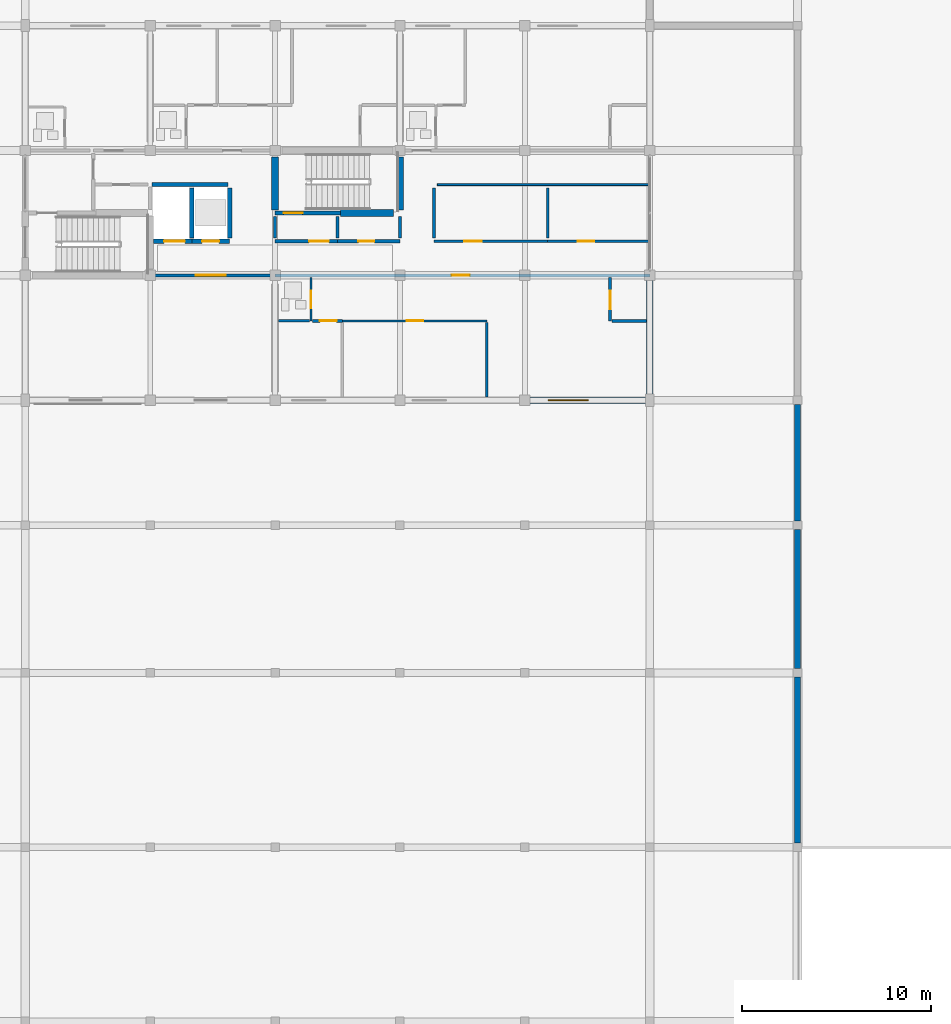
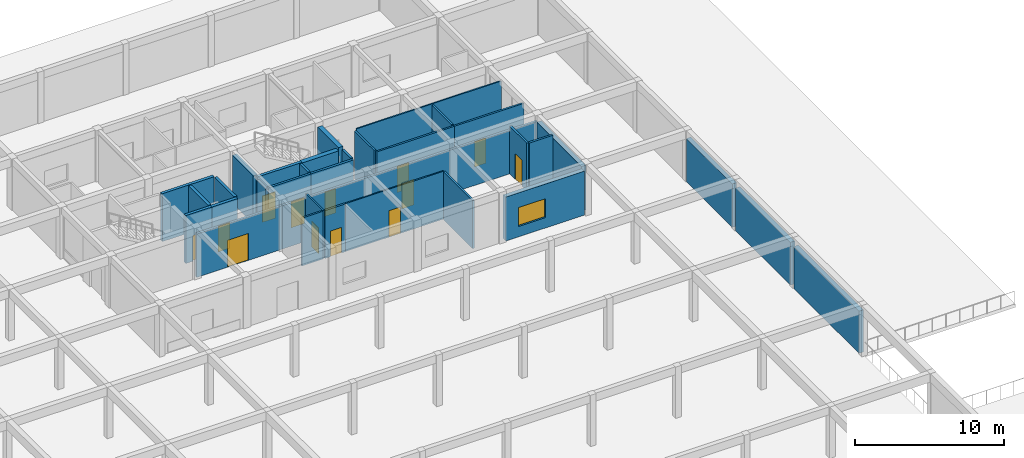
# One storey, part 61 of 75: 33 walls, 13 doors, 1 window, 14 openings.
"""IFC4 building model written with IfcOpenShell, lengths in metres."""

import ifcopenshell
import ifcopenshell.guid

model = None  # the IFC model being written
_history = None  # IfcOwnerHistory: only IFC2X3 demands one
_inside = {}  # id of a spatial element -> (the spatial element, [elements in it])
_under = {}  # id of a project, library or spatial element -> (it, [spatial elements below it])
_declared = {}  # id of a project -> (the project, [libraries it declares])
_typed = {}  # id of a type object -> (the type object, [elements of that type])
_made_of = {}  # id of a material, layer set ... -> (it, [elements and type objects made of it])


def new_model(schema):
    """Start an empty IFC model of exactly this schema.

    Asked for "IFC4X3", IfcOpenShell would pick the latest addendum, in which some entities
    have other attributes; the version numbers below select the first issue.
    IFC2X3 requires an IfcOwnerHistory on every rooted entity: one is made here for all.
    """
    global model, _history
    if schema == "IFC4X3":
        model = ifcopenshell.file(schema_version=(4, 3, 0, 0))
    else:
        model = ifcopenshell.file(schema=schema)
    _inside.clear()
    _under.clear()
    _declared.clear()
    _typed.clear()
    _made_of.clear()
    _history = None
    if model.schema == "IFC2X3":
        org = make("IfcOrganization", Name="unknown")
        user = make(
            "IfcPersonAndOrganization",
            ThePerson=make("IfcPerson", FamilyName="unknown"),
            TheOrganization=org,
        )
        app = make(
            "IfcApplication",
            ApplicationDeveloper=org,
            Version="unknown",
            ApplicationFullName="unknown",
            ApplicationIdentifier="unknown",
        )
        _history = make(
            "IfcOwnerHistory",
            OwningUser=user,
            OwningApplication=app,
            ChangeAction="ADDED",
            CreationDate=0,
        )
    return model


def make(cls, **values):
    """One entity of the class cls with the attributes given. An attribute that is None is left unset."""
    return model.create_entity(
        cls, **{name: value for name, value in values.items() if value is not None}
    )


def rooted(cls, **values):
    """An entity with a GlobalId (a new one), such as an element, a storey or a relation."""
    return make(cls, GlobalId=ifcopenshell.guid.new(), OwnerHistory=_history, **values)


def si_unit(unit_type, name, prefix=None):
    """IfcSIUnit, for example si_unit("LENGTHUNIT", "METRE", prefix="MILLI")."""
    return make("IfcSIUnit", UnitType=unit_type, Prefix=prefix, Name=name)


def assignment(units):
    """IfcUnitAssignment: the units of a project."""
    return None if units is None else make("IfcUnitAssignment", Units=units)


def point(xyz):
    """IfcCartesianPoint."""
    return None if xyz is None else make("IfcCartesianPoint", Coordinates=xyz)


def direction(xyz):
    """IfcDirection."""
    return None if xyz is None else make("IfcDirection", DirectionRatios=xyz)


def frame(location, z_axis=None, x_axis=None):
    """IfcAxis2Placement3D, a coordinate frame: its origin and axes. An axis left out is left unset."""
    return make(
        "IfcAxis2Placement3D",
        Location=point(location),
        Axis=direction(z_axis),
        RefDirection=direction(x_axis),
    )


def frame_2d(location, x_axis=None):
    """IfcAxis2Placement2D, a coordinate frame in the plane: its origin and x axis."""
    return make(
        "IfcAxis2Placement2D", Location=point(location), RefDirection=direction(x_axis)
    )


def origin():
    """The frame at (0, 0, 0) with its axes left unset."""
    return frame((0.0, 0.0, 0.0))


def place(relative_to, where):
    """IfcLocalPlacement: puts the frame where relative to a parent placement (None: the world)."""
    return make(
        "IfcLocalPlacement", PlacementRelTo=relative_to, RelativePlacement=where
    )


def context(
    kind, dimensions, precision=None, world=None, true_north=None, identifier=None
):
    """IfcGeometricRepresentationContext, for example the 3D "Model" context."""
    return make(
        "IfcGeometricRepresentationContext",
        ContextIdentifier=identifier,
        ContextType=kind,
        CoordinateSpaceDimension=dimensions,
        Precision=precision,
        WorldCoordinateSystem=world,
        TrueNorth=true_north,
    )


def subcontext(parent, identifier, kind, view, scale=None):
    """IfcGeometricRepresentationSubContext, for example "Body" below "Model"."""
    return make(
        "IfcGeometricRepresentationSubContext",
        ContextIdentifier=identifier,
        ContextType=kind,
        ParentContext=parent,
        TargetScale=scale,
        TargetView=view,
    )


def project(units=None, contexts=None):
    """IfcProject with its units and contexts."""
    return rooted(
        "IfcProject",
        Name="project",
        RepresentationContexts=contexts,
        UnitsInContext=assignment(units),
    )


def spatial(cls, under=None, at=None, **own):
    """A site, building, storey or space (cls), placed at a placement, below another one or the project."""
    s = rooted(cls, ObjectPlacement=at, **own)
    if under is not None:
        _under.setdefault(under.id(), (under, []))[1].append(s)
    return s


def profile(cls, at=None, kind="AREA", **sizes):
    """A parametric profile (cls). Its sizes go by their IFC names, for example OverallWidth=200.0."""
    return make(cls, ProfileType=kind, Position=at, **sizes)


def rectangle(**sizes):
    """IfcRectangleProfileDef."""
    return profile("IfcRectangleProfileDef", **sizes)


def extrude(swept, where, along, depth):
    """IfcExtrudedAreaSolid: the profile swept, set in the frame where, extruded along a direction by depth."""
    return make(
        "IfcExtrudedAreaSolid",
        SweptArea=swept,
        Position=where,
        ExtrudedDirection=direction(along),
        Depth=depth,
    )


def shape(context_of_items, identifier, shape_type, items):
    """IfcShapeRepresentation: the items that make up one representation, for example the "Body"."""
    return make(
        "IfcShapeRepresentation",
        ContextOfItems=context_of_items,
        RepresentationIdentifier=identifier,
        RepresentationType=shape_type,
        Items=items,
    )


def material(Name=None, Category=None):
    """IfcMaterial."""
    return make("IfcMaterial", Name=Name, Category=Category)


def layer(
    of_material, thickness, ventilated=None, Name=None, Category=None, Priority=None
):
    """IfcMaterialLayer: one layer of a wall or slab, of a material (None: an air gap)."""
    return make(
        "IfcMaterialLayer",
        Material=of_material,
        LayerThickness=thickness,
        IsVentilated=ventilated,
        Name=Name,
        Category=Category,
        Priority=Priority,
    )


def layer_set(layers, Name=None):
    """IfcMaterialLayerSet."""
    return make("IfcMaterialLayerSet", MaterialLayers=layers, LayerSetName=Name)


def made_of(thing, what):
    """Note that an element or type object is made of a material, layer set ...; save() writes the relation."""
    if what is not None:
        _made_of.setdefault(what.id(), (what, []))[1].append(thing)
    return thing


def type_object(cls, material=None, **own):
    """A type object (cls), such as IfcWallType, which elements share."""
    return made_of(rooted(cls, **own), material)


def element(
    cls,
    number,
    at=None,
    inside=None,
    cuts=None,
    type_object=None,
    material=None,
    context=None,
    identifier="Body",
    shape_type=None,
    held_by="IfcProductDefinitionShape",
    body=None,
    shapes=None,
    **own,
):
    """One element of the class cls, such as IfcWall. Its Tag is "e" and its number.

    at: its placement. inside: the storey or other place that contains it. cuts: it is an
    opening in that element (IfcRelVoidsElement). A single representation is given by context,
    identifier, shape_type and body (its items); several are given by shapes. held_by: the class
    of the entity that holds the representations. save() writes the other relations.
    """
    e = rooted(cls, Tag="e%d" % number, ObjectPlacement=at, **own)
    if body is not None:
        shapes = [shape(context, identifier, shape_type, body)]
    if shapes is not None:
        e.Representation = make(held_by, Representations=shapes)
    if inside is not None:
        _inside.setdefault(inside.id(), (inside, []))[1].append(e)
    if cuts is not None:
        rooted(
            "IfcRelVoidsElement", RelatingBuildingElement=cuts, RelatedOpeningElement=e
        )
    if type_object is not None:
        _typed.setdefault(type_object.id(), (type_object, []))[1].append(e)
    return made_of(e, material)


def fill(opening, filler):
    """IfcRelFillsElement: the door or window that sits in an opening."""
    return rooted(
        "IfcRelFillsElement",
        RelatingOpeningElement=opening,
        RelatedBuildingElement=filler,
    )


def aggregate(whole, parts):
    """IfcRelAggregates: a whole, such as a stair, and the parts it consists of."""
    return rooted("IfcRelAggregates", RelatingObject=whole, RelatedObjects=parts)


def save(model, path):
    """Write the relations noted so far, then the file.

    IfcRelAggregates (storeys below a building ...), IfcRelContainedInSpatialStructure (elements
    in a storey), IfcRelDefinesByType, IfcRelAssociatesMaterial and IfcRelDeclares: one each for
    every whole, place, type object, material and project.
    """
    for whole, parts in _under.values():
        aggregate(whole, parts)
    for where, things in _inside.values():
        rooted(
            "IfcRelContainedInSpatialStructure",
            RelatedElements=things,
            RelatingStructure=where,
        )
    for kind, things in _typed.values():
        rooted("IfcRelDefinesByType", RelatedObjects=things, RelatingType=kind)
    for what, things in _made_of.values():
        rooted("IfcRelAssociatesMaterial", RelatedObjects=things, RelatingMaterial=what)
    for by, libraries in _declared.values():
        rooted("IfcRelDeclares", RelatingContext=by, RelatedDefinitions=libraries)
    model.write(path)


model = new_model("IFC4")

# Units and contexts
model_context = context("Model", 3, precision=1e-05, world=origin(), true_north=direction((0.0, 1.0)))
body_context = subcontext(model_context, "Body", "Model", "MODEL_VIEW")
ifc_project = project(units=[si_unit("LENGTHUNIT", "METRE"), si_unit("AREAUNIT", "SQUARE_METRE"), si_unit("VOLUMEUNIT", "CUBIC_METRE"), si_unit("PLANEANGLEUNIT", "RADIAN"), si_unit("MASSUNIT", "GRAM", prefix="KILO")], contexts=[model_context])

# Site, building, storey
site_placement = place(None, origin())
site = spatial("IfcSite", under=ifc_project, at=site_placement, CompositionType="ELEMENT")
building_placement = place(site_placement, origin())
building = spatial("IfcBuilding", under=site, at=building_placement, Name="Kernevlak Ridge Housing Community", CompositionType="ELEMENT")
storey_placement = place(building_placement, origin())
storey = spatial("IfcBuildingStorey", under=building, at=storey_placement, Name="L00", CompositionType="ELEMENT", Elevation=0.0)

# Wall, opening, window
ifc_material_1 = material(Name="Concrete block masonry M10", Category="masonry")
ifc_layer_1 = layer(ifc_material_1, 0.340087890625, Name="Concrete block masonry M10")
ifc_layer_set_1 = layer_set([ifc_layer_1], Name="Concrete block masonry M10")
wall_type_1 = type_object("IfcWallType", Name="EW-04", PredefinedType="STANDARD", material=ifc_layer_set_1)
wall_1_placement = place(storey_placement, frame((146.074951171875, 82.60009765625, 0.0), z_axis=(0.0, 0.0, 1.0), x_axis=(1.0, 0.0, 0.0)))
wall_1 = element("IfcWall", 1, at=wall_1_placement, inside=storey, type_object=wall_type_1, Name="Exterior wall EW-04 L00 299", PredefinedType="STANDARD", context=body_context, shape_type="SweptSolid", body=[
    extrude(rectangle(XDim=6.10009765625, YDim=0.340087890625, at=frame_2d((3.050048828125, 0.0))), origin(), (0.0, 0.0, 1.0), 3.60009765625),
])
opening_1_placement = place(wall_1_placement, frame((0.968994140625, 0.0, 0.85009765625)))
opening_1 = element("IfcOpeningElement", 2, at=opening_1_placement, cuts=wall_1, Name="Opening WT-05", PredefinedType="OPENING", context=body_context, shape_type="SweptSolid", body=[
    extrude(rectangle(XDim=2.10009765625, YDim=1.550048828125, at=frame_2d((1.050048828125, 0.77490234375))), frame((0.0, 0.179931640625, 0.0), z_axis=(0.0, -1.0, 0.0), x_axis=(1.0, 0.0, 0.0)), (0.0, 0.0, 1.0), 0.360107421875),
])
ifc_material_2 = material(Name="Aluminium EN AW-6060 anodised and laminated glass", Category="aluminium")
window_type = type_object("IfcWindowType", Name="WT-05", PartitioningType="SINGLE_PANEL", PredefinedType="WINDOW", material=ifc_material_2)
window_placement = place(opening_1_placement, origin())
window = element("IfcWindow", 3, at=window_placement, inside=storey, type_object=window_type, Name="Window WT-05 L00 229", OverallHeight=1.550048828125, OverallWidth=2.10009765625, PartitioningType="SINGLE_PANEL", PredefinedType="WINDOW", context=body_context, shape_type="SweptSolid", body=[
    extrude(rectangle(XDim=2.10009765625, YDim=1.550048828125, at=frame_2d((1.050048828125, 0.77490234375))), frame((0.0, 0.030029296875, 0.0), z_axis=(0.0, -1.0, 0.0), x_axis=(1.0, 0.0, 0.0)), (0.0, 0.0, 1.0), 0.06005859375),
])
fill(opening_1, window)

# Walls
wall_2_placement = place(storey_placement, frame((152.39990234375, 82.925048828125, 0.0), z_axis=(0.0, 0.0, 1.0), x_axis=(0.0, 1.0, 0.0)))
element("IfcWall", 4, at=wall_2_placement, inside=storey, type_object=wall_type_1, Name="Exterior wall EW-04 L00 307", PredefinedType="STANDARD", context=body_context, shape_type="SweptSolid", body=[
    extrude(rectangle(XDim=6.0, YDim=0.340087890625, at=frame_2d((3.0, 0.0))), origin(), (0.0, 0.0, 1.0), 3.64990234375),
])
wall_3_placement = place(storey_placement, frame((160.199951171875, 59.22509765625, 0.0), z_axis=(0.0, 0.0, 1.0), x_axis=(0.0, 1.0, 0.0)))
element("IfcWall", 5, at=wall_3_placement, inside=storey, type_object=wall_type_1, Name="Exterior wall EW-04 L00 894", PredefinedType="STANDARD", context=body_context, shape_type="SweptSolid", body=[
    extrude(rectangle(XDim=8.75, YDim=0.340087890625, at=frame_2d((4.375, 0.0))), origin(), (0.0, 0.0, 1.0), 3.449951171875),
])
wall_4_placement = place(storey_placement, frame((160.199951171875, 68.425048828125, 0.0), z_axis=(0.0, 0.0, 1.0), x_axis=(0.0, 1.0, 0.0)))
element("IfcWall", 6, at=wall_4_placement, inside=storey, type_object=wall_type_1, Name="Exterior wall EW-04 L00 895", PredefinedType="STANDARD", context=body_context, shape_type="SweptSolid", body=[
    extrude(rectangle(XDim=7.349853515625, YDim=0.340087890625, at=frame_2d((3.6748046875, 0.0))), origin(), (0.0, 0.0, 1.0), 3.5),
])
wall_5_placement = place(storey_placement, frame((160.199951171875, 76.22509765625, 0.0), z_axis=(0.0, 0.0, 1.0), x_axis=(0.0, 1.0, 0.0)))
element("IfcWall", 7, at=wall_5_placement, inside=storey, type_object=wall_type_1, Name="Exterior wall EW-04 L00 896", PredefinedType="STANDARD", context=body_context, shape_type="SweptSolid", body=[
    extrude(rectangle(XDim=6.14990234375, YDim=0.340087890625, at=frame_2d((3.074951171875, 0.0))), origin(), (0.0, 0.0, 1.0), 3.550048828125),
])

# Wall, opening, door
ifc_material_3 = material(Name="Concrete C35/45", Category="concrete")
ifc_layer_2 = layer(ifc_material_3, 0.22509765625, Name="Concrete C35/45")
ifc_layer_set_2 = layer_set([ifc_layer_2], Name="Concrete C35/45")
wall_type_2 = type_object("IfcWallType", Name="PW-01", PredefinedType="STANDARD", material=ifc_layer_set_2)
wall_6_placement = place(storey_placement, frame((126.18505859375, 91.0, 0.0), z_axis=(0.0, 0.0, 1.0), x_axis=(1.0, 0.0, 0.0)))
wall_6 = element("IfcWall", 8, at=wall_6_placement, inside=storey, type_object=wall_type_2, Name="Interior wall PW-01 WAL-INT-L00-1161", PredefinedType="STANDARD", context=body_context, shape_type="SweptSolid", body=[
    extrude(rectangle(XDim=2.014892578125, YDim=0.22509765625, at=frame_2d((1.00732421875, 0.0))), origin(), (0.0, 0.0, 1.0), 3.919921875),
])
opening_2_placement = place(wall_6_placement, frame((0.550048828125, 0.0, 0.0)))
opening_2 = element("IfcOpeningElement", 9, at=opening_2_placement, cuts=wall_6, Name="Opening LD30", PredefinedType="OPENING", context=body_context, shape_type="SweptSolid", body=[
    extrude(rectangle(XDim=1.10009765625, YDim=2.10009765625, at=frame_2d((0.550048828125, 1.050048828125))), frame((0.0, 0.12255859375, 0.0), z_axis=(0.0, -1.0, 0.0), x_axis=(1.0, 0.0, 0.0)), (0.0, 0.0, 1.0), 0.2451171875),
])
ifc_material_4 = material(Name="Stainless steel EN 1.4401", Category="steel")
door_type_1 = type_object("IfcDoorType", Name="DT-LD1", OperationType="DOUBLE_DOOR_SLIDING", PredefinedType="DOOR", material=ifc_material_4)
door_1_placement = place(opening_2_placement, origin())
door_1 = element("IfcDoor", 10, at=door_1_placement, inside=storey, type_object=door_type_1, Name="Lift LF-B1 landing door LD30", OperationType="DOUBLE_DOOR_SLIDING", OverallHeight=2.10009765625, OverallWidth=1.10009765625, PredefinedType="DOOR", context=body_context, shape_type="SweptSolid", body=[
    extrude(rectangle(XDim=1.10009765625, YDim=2.10009765625, at=frame_2d((0.550048828125, 1.050048828125))), frame((0.0, 0.02490234375, 0.0), z_axis=(0.0, -1.0, 0.0), x_axis=(1.0, 0.0, 0.0)), (0.0, 0.0, 1.0), 0.050048828125),
])
fill(opening_2, door_1)

wall_7_placement = place(storey_placement, frame((128.199951171875, 91.0, 0.0), z_axis=(0.0, 0.0, 1.0), x_axis=(1.0, 0.0, 0.0)))
wall_7 = element("IfcWall", 11, at=wall_7_placement, inside=storey, type_object=wall_type_2, Name="Interior wall PW-01 WAL-INT-L00-1162", PredefinedType="STANDARD", context=body_context, shape_type="SweptSolid", body=[
    extrude(rectangle(XDim=2.0, YDim=0.22509765625, at=frame_2d((1.0, 0.0))), origin(), (0.0, 0.0, 1.0), 3.919921875),
])
opening_3_placement = place(wall_7_placement, frame((0.550048828125, 0.0, 0.0)))
opening_3 = element("IfcOpeningElement", 12, at=opening_3_placement, cuts=wall_7, Name="Opening LD31", PredefinedType="OPENING", context=body_context, shape_type="SweptSolid", body=[
    extrude(rectangle(XDim=0.89990234375, YDim=2.10009765625, at=frame_2d((0.449951171875, 1.050048828125))), frame((0.0, 0.12255859375, 0.0), z_axis=(0.0, -1.0, 0.0), x_axis=(1.0, 0.0, 0.0)), (0.0, 0.0, 1.0), 0.2451171875),
])
door_type_2 = type_object("IfcDoorType", Name="DT-LD2", OperationType="DOUBLE_DOOR_SLIDING", PredefinedType="DOOR", material=ifc_material_4)
door_2_placement = place(opening_3_placement, origin())
door_2 = element("IfcDoor", 13, at=door_2_placement, inside=storey, type_object=door_type_2, Name="Lift LF-B2 landing door LD31", OperationType="DOUBLE_DOOR_SLIDING", OverallHeight=2.10009765625, OverallWidth=0.89990234375, PredefinedType="DOOR", context=body_context, shape_type="SweptSolid", body=[
    extrude(rectangle(XDim=0.89990234375, YDim=2.10009765625, at=frame_2d((0.449951171875, 1.050048828125))), frame((0.0, 0.02490234375, 0.0), z_axis=(0.0, -1.0, 0.0), x_axis=(1.0, 0.0, 0.0)), (0.0, 0.0, 1.0), 0.050048828125),
])
fill(opening_3, door_2)

# Walls
wall_8_placement = place(storey_placement, frame((126.097412109375, 94.0, 0.0), z_axis=(0.0, 0.0, 1.0), x_axis=(1.0, 0.0, 0.0)))
element("IfcWall", 14, at=wall_8_placement, inside=storey, type_object=wall_type_2, Name="Interior wall PW-01 WAL-INT-L00-1163", PredefinedType="STANDARD", context=body_context, shape_type="SweptSolid", body=[
    extrude(rectangle(XDim=4.022705078125, YDim=0.22509765625, at=frame_2d((2.01123046875, 0.0))), origin(), (0.0, 0.0, 1.0), 3.919921875),
])
for number, where, z_axis, x_axis, name in (
    (15, (128.199951171875, 91.179931640625, 0.0), (0.0, 0.0, 1.0), (0.0, 1.0, 0.0), "Interior wall PW-01 WAL-INT-L00-1165"),
    (16, (130.199951171875, 91.179931640625, 0.0), (0.0, 0.0, 1.0), (0.0, 1.0, 0.0), "Interior wall PW-01 WAL-INT-L00-1166"),
):
    element("IfcWall", number, at=place(storey_placement, frame(where, z_axis=z_axis, x_axis=x_axis)), inside=storey, type_object=wall_type_2, Name=name, PredefinedType="STANDARD", context=body_context, shape_type="SweptSolid", body=[
        extrude(rectangle(XDim=2.64013671875, YDim=0.22509765625, at=frame_2d((1.320068359375, 0.0))), origin(), (0.0, 0.0, 1.0), 3.919921875),
    ])

# Wall, opening, door
wall_9_placement = place(storey_placement, frame((132.60009765625, 92.5, 0.0), z_axis=(0.0, 0.0, 1.0), x_axis=(1.0, 0.0, 0.0)))
wall_9 = element("IfcWall", 17, at=wall_9_placement, inside=storey, type_object=wall_type_2, Name="Interior wall PW-01 WAL-INT-L00-1167", PredefinedType="STANDARD", context=body_context, shape_type="SweptSolid", body=[
    extrude(rectangle(XDim=3.449951171875, YDim=0.22509765625, at=frame_2d((1.72509765625, 0.0))), origin(), (0.0, 0.0, 1.0), 3.919921875),
])
opening_4_placement = place(wall_9_placement, frame((0.449951171875, 0.0, 0.0)))
opening_4 = element("IfcOpeningElement", 18, at=opening_4_placement, cuts=wall_9, Name="Opening D588", PredefinedType="OPENING", context=body_context, shape_type="SweptSolid", body=[
    extrude(rectangle(XDim=1.0, YDim=2.159912109375, at=frame_2d((0.5, 1.080078125))), frame((0.0, 0.12255859375, 0.0), z_axis=(0.0, -1.0, 0.0), x_axis=(1.0, 0.0, 0.0)), (0.0, 0.0, 1.0), 0.2451171875),
])
ifc_material_5 = material(Name="Fire-rated sheet steel leaf", Category="steel")
door_type_3 = type_object("IfcDoorType", Name="DT-15", OperationType="NOTDEFINED", PredefinedType="DOOR", material=ifc_material_5)
door_3_placement = place(opening_4_placement, origin())
door_3 = element("IfcDoor", 19, at=door_3_placement, inside=storey, type_object=door_type_3, Name="Block B Stair 2 fire door D588", OperationType="SINGLE_SWING_RIGHT", OverallHeight=2.159912109375, OverallWidth=1.0, PredefinedType="DOOR", context=body_context, shape_type="SweptSolid", body=[
    extrude(rectangle(XDim=1.0, YDim=2.159912109375, at=frame_2d((0.5, 1.080078125))), frame((0.0, 0.02490234375, 0.0), z_axis=(0.0, -1.0, 0.0), x_axis=(1.0, 0.0, 0.0)), (0.0, 0.0, 1.0), 0.050048828125),
])
fill(opening_4, door_3)

ifc_layer_3 = layer(ifc_material_1, 0.175048828125, Name="Concrete block masonry M10")
ifc_layer_set_3 = layer_set([ifc_layer_3], Name="Concrete block masonry M10")
wall_type_3 = type_object("IfcWallType", Name="PW-02", PredefinedType="PARTITIONING", material=ifc_layer_set_3)
wall_10_placement = place(storey_placement, frame((132.60009765625, 91.0, 0.0), z_axis=(0.0, 0.0, 1.0), x_axis=(1.0, 0.0, 0.0)))
wall_10 = element("IfcWall", 20, at=wall_10_placement, inside=storey, type_object=wall_type_3, Name="Interior wall PW-02 WAL-INT-L00-1168", PredefinedType="PARTITIONING", context=body_context, shape_type="SweptSolid", body=[
    extrude(rectangle(XDim=3.2998046875, YDim=0.175048828125, at=frame_2d((1.64990234375, 0.0))), origin(), (0.0, 0.0, 1.0), 3.919921875),
])
opening_5_placement = place(wall_10_placement, frame((1.800048828125, 0.0, 0.0)))
opening_5 = element("IfcOpeningElement", 21, at=opening_5_placement, cuts=wall_10, Name="Opening D589", PredefinedType="OPENING", context=body_context, shape_type="SweptSolid", body=[
    extrude(rectangle(XDim=1.0400390625, YDim=2.1201171875, at=frame_2d((0.52001953125, 1.06005859375))), frame((0.0, 0.097412109375, 0.0), z_axis=(0.0, -1.0, 0.0), x_axis=(1.0, 0.0, 0.0)), (0.0, 0.0, 1.0), 0.195068359375),
])
door_type_4 = type_object("IfcDoorType", Name="DT-16", OperationType="NOTDEFINED", PredefinedType="DOOR", material=ifc_material_5)
door_4_placement = place(opening_5_placement, origin())
door_4 = element("IfcDoor", 22, at=door_4_placement, inside=storey, type_object=door_type_4, Name="Block B Firefighting lobby 2 door D589", OperationType="SINGLE_SWING_LEFT", OverallHeight=2.1201171875, OverallWidth=1.0400390625, PredefinedType="DOOR", context=body_context, shape_type="SweptSolid", body=[
    extrude(rectangle(XDim=1.0400390625, YDim=2.1201171875, at=frame_2d((0.52001953125, 1.06005859375))), frame((0.0, 0.02490234375, 0.0), z_axis=(0.0, -1.0, 0.0), x_axis=(1.0, 0.0, 0.0)), (0.0, 0.0, 1.0), 0.050048828125),
])
fill(opening_5, door_4)

wall_11_placement = place(storey_placement, frame((135.89990234375, 91.0, 0.0), z_axis=(0.0, 0.0, 1.0), x_axis=(1.0, 0.0, 0.0)))
wall_11 = element("IfcWall", 23, at=wall_11_placement, inside=storey, type_object=wall_type_3, Name="Interior wall PW-02 WAL-INT-L00-1169", PredefinedType="PARTITIONING", context=body_context, shape_type="SweptSolid", body=[
    extrude(rectangle(XDim=3.300048828125, YDim=0.175048828125, at=frame_2d((1.64990234375, 0.0))), origin(), (0.0, 0.0, 1.0), 3.919921875),
])
opening_6_placement = place(wall_11_placement, frame((1.10009765625, 0.0, 0.0)))
opening_6 = element("IfcOpeningElement", 24, at=opening_6_placement, cuts=wall_11, Name="Opening D590", PredefinedType="OPENING", context=body_context, shape_type="SweptSolid", body=[
    extrude(rectangle(XDim=0.85009765625, YDim=2.0, at=frame_2d((0.425048828125, 1.0))), frame((0.0, 0.097412109375, 0.0), z_axis=(0.0, -1.0, 0.0), x_axis=(1.0, 0.0, 0.0)), (0.0, 0.0, 1.0), 0.195068359375),
])
door_type_5 = type_object("IfcDoorType", Name="DT-07", OperationType="NOTDEFINED", PredefinedType="DOOR", material=ifc_material_5)
door_5_placement = place(opening_6_placement, origin())
door_5 = element("IfcDoor", 25, at=door_5_placement, inside=storey, type_object=door_type_5, Name="Block B Cleaner store door D590", OperationType="SINGLE_SWING_RIGHT", OverallHeight=2.0, OverallWidth=0.85009765625, PredefinedType="DOOR", context=body_context, shape_type="SweptSolid", body=[
    extrude(rectangle(XDim=0.85009765625, YDim=2.0, at=frame_2d((0.425048828125, 1.0))), frame((0.0, 0.02490234375, 0.0), z_axis=(0.0, -1.0, 0.0), x_axis=(1.0, 0.0, 0.0)), (0.0, 0.0, 1.0), 0.050048828125),
])
fill(opening_6, door_5)

# Walls
wall_12_placement = place(storey_placement, frame((132.60009765625, 91.179931640625, 0.0), z_axis=(0.0, 0.0, 1.0), x_axis=(0.0, 1.0, 0.0)))
element("IfcWall", 26, at=wall_12_placement, inside=storey, type_object=wall_type_3, Name="Interior wall PW-02 WAL-INT-L00-1170", PredefinedType="PARTITIONING", context=body_context, shape_type="SweptSolid", body=[
    extrude(rectangle(XDim=1.14013671875, YDim=0.175048828125, at=frame_2d((0.570068359375, 0.0))), origin(), (0.0, 0.0, 1.0), 3.75),
])
for number, where, z_axis, x_axis, name in (
    (27, (135.89990234375, 91.179931640625, 0.0), (0.0, 0.0, 1.0), (0.0, 1.0, 0.0), "Interior wall PW-02 WAL-INT-L00-1171"),
    (28, (139.199951171875, 91.179931640625, 0.0), (0.0, 0.0, 1.0), (0.0, 1.0, 0.0), "Interior wall PW-02 WAL-INT-L00-1172"),
):
    element("IfcWall", number, at=place(storey_placement, frame(where, z_axis=z_axis, x_axis=x_axis)), inside=storey, type_object=wall_type_3, Name=name, PredefinedType="PARTITIONING", context=body_context, shape_type="SweptSolid", body=[
        extrude(rectangle(XDim=1.14013671875, YDim=0.175048828125, at=frame_2d((0.570068359375, 0.0))), origin(), (0.0, 0.0, 1.0), 3.919921875),
    ])

# Wall, opening, door
wall_13_placement = place(storey_placement, frame((126.0, 89.199951171875, 0.0), z_axis=(0.0, 0.0, 1.0), x_axis=(1.0, 0.0, 0.0)))
wall_13 = element("IfcWall", 29, at=wall_13_placement, inside=storey, type_object=wall_type_3, Name="Interior wall PW-02 WAL-INT-L00-1178", PredefinedType="PARTITIONING", context=body_context, shape_type="SweptSolid", body=[
    extrude(rectangle(XDim=6.60009765625, YDim=0.175048828125, at=frame_2d((3.300048828125, 0.0))), origin(), (0.0, 0.0, 1.0), 3.550048828125),
])
opening_7_placement = place(wall_13_placement, frame((2.39990234375, 0.0, 0.0)))
opening_7 = element("IfcOpeningElement", 30, at=opening_7_placement, cuts=wall_13, Name="Opening D593", PredefinedType="OPENING", context=body_context, shape_type="SweptSolid", body=[
    extrude(rectangle(XDim=1.60009765625, YDim=2.199951171875, at=frame_2d((0.800048828125, 1.10009765625))), frame((0.0, 0.097412109375, 0.0), z_axis=(0.0, -1.0, 0.0), x_axis=(1.0, 0.0, 0.0)), (0.0, 0.0, 1.0), 0.195068359375),
])
ifc_material_6 = material(Name="Fire-rated sheet steel and fire-resistant glass", Category="steel")
door_type_6 = type_object("IfcDoorType", Name="DT-09", OperationType="DOUBLE_DOOR_SINGLE_SWING", PredefinedType="DOOR", material=ifc_material_6)
door_6_placement = place(opening_7_placement, origin())
door_6 = element("IfcDoor", 31, at=door_6_placement, inside=storey, type_object=door_type_6, Name="Block B Ground lobby inner fire door D593", OperationType="DOUBLE_DOOR_SINGLE_SWING", OverallHeight=2.199951171875, OverallWidth=1.60009765625, PredefinedType="DOOR", context=body_context, shape_type="SweptSolid", body=[
    extrude(rectangle(XDim=1.60009765625, YDim=2.199951171875, at=frame_2d((0.800048828125, 1.10009765625))), frame((0.0, 0.02490234375, 0.0), z_axis=(0.0, -1.0, 0.0), x_axis=(1.0, 0.0, 0.0)), (0.0, 0.0, 1.0), 0.050048828125),
])
fill(opening_7, door_6)

wall_14_placement = place(storey_placement, frame((132.60009765625, 89.199951171875, 0.0), z_axis=(0.0, 0.0, 1.0), x_axis=(1.0, 0.0, 0.0)))
wall_14 = element("IfcWall", 32, at=wall_14_placement, inside=storey, type_object=wall_type_3, Name="Interior wall PW-02 WAL-INT-L00-1179", PredefinedType="PARTITIONING", context=body_context, shape_type="SweptSolid", body=[
    extrude(rectangle(XDim=19.7998046875, YDim=0.175048828125, at=frame_2d((9.89990234375, 0.0))), origin(), (0.0, 0.0, 1.0), 3.550048828125),
])
opening_8_placement = place(wall_14_placement, frame((9.324951171875, 0.0, 0.0)))
opening_8 = element("IfcOpeningElement", 33, at=opening_8_placement, cuts=wall_14, Name="Opening D596", PredefinedType="OPENING", context=body_context, shape_type="SweptSolid", body=[
    extrude(rectangle(XDim=0.949951171875, YDim=2.10009765625, at=frame_2d((0.47509765625, 1.050048828125))), frame((0.0, 0.097412109375, 0.0), z_axis=(0.0, -1.0, 0.0), x_axis=(1.0, 0.0, 0.0)), (0.0, 0.0, 1.0), 0.195068359375),
])
ifc_material_7 = material(Name="Hardwood timber solid-core fire leaf", Category="wood")
door_type_7 = type_object("IfcDoorType", Name="DT-01", OperationType="NOTDEFINED", PredefinedType="DOOR", material=ifc_material_7)
door_7_placement = place(opening_8_placement, origin())
door_7 = element("IfcDoor", 34, at=door_7_placement, inside=storey, type_object=door_type_7, Name="Flat B0012 entrance fire door D596", OperationType="SINGLE_SWING_RIGHT", OverallHeight=2.10009765625, OverallWidth=0.949951171875, PredefinedType="DOOR", context=body_context, shape_type="SweptSolid", body=[
    extrude(rectangle(XDim=0.949951171875, YDim=2.10009765625, at=frame_2d((0.47509765625, 1.050048828125))), frame((0.0, 0.02490234375, 0.0), z_axis=(0.0, -1.0, 0.0), x_axis=(1.0, 0.0, 0.0)), (0.0, 0.0, 1.0), 0.050048828125),
])
fill(opening_8, door_7)

ifc_layer_4 = layer(ifc_material_1, 0.14501953125, Name="Concrete block masonry M10")
ifc_layer_set_4 = layer_set([ifc_layer_4], Name="Concrete block masonry M10")
wall_type_4 = type_object("IfcWallType", Name="PW-03", PredefinedType="PARTITIONING", material=ifc_layer_set_4)
wall_15_placement = place(storey_placement, frame((141.0, 91.0, 0.0), z_axis=(0.0, 0.0, 1.0), x_axis=(1.0, 0.0, 0.0)))
wall_15 = element("IfcWall", 35, at=wall_15_placement, inside=storey, type_object=wall_type_4, Name="Interior wall PW-03 WAL-INT-L00-1173", PredefinedType="PARTITIONING", context=body_context, shape_type="SweptSolid", body=[
    extrude(rectangle(XDim=6.0, YDim=0.14501953125, at=frame_2d((3.0, 0.0))), origin(), (0.0, 0.0, 1.0), 3.919921875),
])
opening_9_placement = place(wall_15_placement, frame((1.60009765625, 0.0, 0.0)))
opening_9 = element("IfcOpeningElement", 36, at=opening_9_placement, cuts=wall_15, Name="Opening D591", PredefinedType="OPENING", context=body_context, shape_type="SweptSolid", body=[
    extrude(rectangle(XDim=0.909912109375, YDim=2.139892578125, at=frame_2d((0.455078125, 1.06982421875))), frame((0.0, 0.08251953125, 0.0), z_axis=(0.0, -1.0, 0.0), x_axis=(1.0, 0.0, 0.0)), (0.0, 0.0, 1.0), 0.1650390625),
])
ifc_material_8 = material(Name="Hardwood timber leaf", Category="wood")
door_type_8 = type_object("IfcDoorType", Name="DT-31", OperationType="NOTDEFINED", PredefinedType="DOOR", material=ifc_material_8)
door_8_placement = place(opening_9_placement, origin())
door_8 = element("IfcDoor", 37, at=door_8_placement, inside=storey, type_object=door_type_8, Name="Block B Laundry room door D591", OperationType="SINGLE_SWING_LEFT", OverallHeight=2.139892578125, OverallWidth=0.909912109375, PredefinedType="DOOR", context=body_context, shape_type="SweptSolid", body=[
    extrude(rectangle(XDim=0.909912109375, YDim=2.139892578125, at=frame_2d((0.455078125, 1.06982421875))), frame((0.0, 0.02490234375, 0.0), z_axis=(0.0, -1.0, 0.0), x_axis=(1.0, 0.0, 0.0)), (0.0, 0.0, 1.0), 0.050048828125),
])
fill(opening_9, door_8)

wall_16_placement = place(storey_placement, frame((147.0, 91.0, 0.0), z_axis=(0.0, 0.0, 1.0), x_axis=(1.0, 0.0, 0.0)))
wall_16 = element("IfcWall", 38, at=wall_16_placement, inside=storey, type_object=wall_type_4, Name="Interior wall PW-03 WAL-INT-L00-1174", PredefinedType="PARTITIONING", context=body_context, shape_type="SweptSolid", body=[
    extrude(rectangle(XDim=5.39990234375, YDim=0.14501953125, at=frame_2d((2.699951171875, 0.0))), origin(), (0.0, 0.0, 1.0), 3.919921875),
])
opening_10_placement = place(wall_16_placement, frame((1.60009765625, 0.0, 0.0)))
opening_10 = element("IfcOpeningElement", 39, at=opening_10_placement, cuts=wall_16, Name="Opening D592", PredefinedType="OPENING", context=body_context, shape_type="SweptSolid", body=[
    extrude(rectangle(XDim=0.8701171875, YDim=2.080078125, at=frame_2d((0.43505859375, 1.0400390625))), frame((0.0, 0.08251953125, 0.0), z_axis=(0.0, -1.0, 0.0), x_axis=(1.0, 0.0, 0.0)), (0.0, 0.0, 1.0), 0.1650390625),
])
door_type_9 = type_object("IfcDoorType", Name="DT-32", OperationType="NOTDEFINED", PredefinedType="DOOR", material=ifc_material_8)
door_9_placement = place(opening_10_placement, origin())
door_9 = element("IfcDoor", 40, at=door_9_placement, inside=storey, type_object=door_type_9, Name="Block B Study room door D592", OperationType="SINGLE_SWING_RIGHT", OverallHeight=2.080078125, OverallWidth=0.8701171875, PredefinedType="DOOR", context=body_context, shape_type="SweptSolid", body=[
    extrude(rectangle(XDim=0.8701171875, YDim=2.080078125, at=frame_2d((0.43505859375, 1.0400390625))), frame((0.0, 0.02490234375, 0.0), z_axis=(0.0, -1.0, 0.0), x_axis=(1.0, 0.0, 0.0)), (0.0, 0.0, 1.0), 0.050048828125),
])
fill(opening_10, door_9)

# Walls
for number, where, z_axis, x_axis, name in (
    (41, (147.0, 91.179931640625, 0.0), (0.0, 0.0, 1.0), (0.0, 1.0, 0.0), "Interior wall PW-03 WAL-INT-L00-1175"),
    (42, (141.0, 91.179931640625, 0.0), (0.0, 0.0, 1.0), (0.0, 1.0, 0.0), "Interior wall PW-03 WAL-INT-L00-1177"),
):
    element("IfcWall", number, at=place(storey_placement, frame(where, z_axis=z_axis, x_axis=x_axis)), inside=storey, type_object=wall_type_4, Name=name, PredefinedType="PARTITIONING", context=body_context, shape_type="SweptSolid", body=[
        extrude(rectangle(XDim=2.64013671875, YDim=0.14501953125, at=frame_2d((1.320068359375, 0.0))), origin(), (0.0, 0.0, 1.0), 3.919921875),
    ])

# Wall, opening, door
wall_17_placement = place(storey_placement, frame((134.572509765625, 86.800048828125, 0.0), z_axis=(0.0, 0.0, 1.0), x_axis=(1.0, 0.0, 0.0)))
wall_17 = element("IfcWall", 43, at=wall_17_placement, inside=storey, type_object=wall_type_4, Name="Interior wall PW-03 WAL-INT-L00-1184", PredefinedType="PARTITIONING", context=body_context, shape_type="SweptSolid", body=[
    extrude(rectangle(XDim=1.577392578125, YDim=0.14501953125, at=frame_2d((0.78857421875, 0.0))), origin(), (0.0, 0.0, 1.0), 3.919921875),
])
opening_11_placement = place(wall_17_placement, frame((0.39990234375, 0.0, 0.0)))
opening_11 = element("IfcOpeningElement", 44, at=opening_11_placement, cuts=wall_17, Name="Opening D599", PredefinedType="OPENING", context=body_context, shape_type="SweptSolid", body=[
    extrude(rectangle(XDim=0.8798828125, YDim=2.10009765625, at=frame_2d((0.43994140625, 1.050048828125))), frame((0.0, 0.08251953125, 0.0), z_axis=(0.0, -1.0, 0.0), x_axis=(1.0, 0.0, 0.0)), (0.0, 0.0, 1.0), 0.1650390625),
])
door_type_10 = type_object("IfcDoorType", Name="DT-25", OperationType="NOTDEFINED", PredefinedType="DOOR", material=ifc_material_8)
door_10_placement = place(opening_11_placement, origin())
door_10 = element("IfcDoor", 45, at=door_10_placement, inside=storey, type_object=door_type_10, Name="Flat B0012 bedroom door D599", OperationType="SINGLE_SWING_LEFT", OverallHeight=2.10009765625, OverallWidth=0.8798828125, PredefinedType="DOOR", context=body_context, shape_type="SweptSolid", body=[
    extrude(rectangle(XDim=0.8798828125, YDim=2.10009765625, at=frame_2d((0.43994140625, 1.050048828125))), frame((0.0, 0.02490234375, 0.0), z_axis=(0.0, -1.0, 0.0), x_axis=(1.0, 0.0, 0.0)), (0.0, 0.0, 1.0), 0.050048828125),
])
fill(opening_11, door_10)

# Wall
wall_18_placement = place(storey_placement, frame((143.7880859375, 86.719970703125, 0.0), z_axis=(0.0, 0.0, 1.0), x_axis=(0.0, -1.0, 0.0)))
element("IfcWall", 46, at=wall_18_placement, inside=storey, type_object=wall_type_4, Name="Interior wall PW-03 WAL-INT-L00-1187", PredefinedType="PARTITIONING", context=body_context, shape_type="SweptSolid", body=[
    extrude(rectangle(XDim=3.93994140625, YDim=0.14501953125, at=frame_2d((1.969970703125, 0.0))), origin(), (0.0, 0.0, 1.0), 3.919921875),
])

# Wall, opening, door
ifc_material_9 = material(Name="Gypsum plasterboard EN 520", Category="gypsum")
ifc_layer_5 = layer(ifc_material_9, 0.125, Name="Gypsum plasterboard EN 520")
ifc_layer_set_5 = layer_set([ifc_layer_5], Name="Gypsum plasterboard EN 520")
wall_type_5 = type_object("IfcWallType", Name="PW-04", PredefinedType="PARTITIONING", material=ifc_layer_set_5)
wall_19_placement = place(storey_placement, frame((134.5, 89.1025390625, 0.0), z_axis=(0.0, 0.0, 1.0), x_axis=(0.0, -1.0, 0.0)))
wall_19 = element("IfcWall", 47, at=wall_19_placement, inside=storey, type_object=wall_type_5, Name="Interior wall PW-04 WAL-INT-L00-1180", PredefinedType="PARTITIONING", context=body_context, shape_type="SweptSolid", body=[
    extrude(rectangle(XDim=2.302490234375, YDim=0.125, at=frame_2d((1.1513671875, 0.0))), origin(), (0.0, 0.0, 1.0), 3.919921875),
])
opening_12_placement = place(wall_19_placement, frame((0.699951171875, 0.0, 0.0)))
opening_12 = element("IfcOpeningElement", 48, at=opening_12_placement, cuts=wall_19, Name="Opening D597", PredefinedType="OPENING", context=body_context, shape_type="SweptSolid", body=[
    extrude(rectangle(XDim=0.93994140625, YDim=2.080078125, at=frame_2d((0.469970703125, 1.0400390625))), frame((0.0, 0.072509765625, 0.0), z_axis=(0.0, -1.0, 0.0), x_axis=(1.0, 0.0, 0.0)), (0.0, 0.0, 1.0), 0.14501953125),
])
ifc_material_10 = material(Name="Hardwood timber moisture-resistant leaf", Category="wood")
door_type_11 = type_object("IfcDoorType", Name="DT-23", OperationType="NOTDEFINED", PredefinedType="DOOR", material=ifc_material_10)
door_11_placement = place(opening_12_placement, origin())
door_11 = element("IfcDoor", 49, at=door_11_placement, inside=storey, type_object=door_type_11, Name="Flat B0012 bathroom door D597", OperationType="SINGLE_SWING_LEFT", OverallHeight=2.080078125, OverallWidth=0.93994140625, PredefinedType="DOOR", context=body_context, shape_type="SweptSolid", body=[
    extrude(rectangle(XDim=0.93994140625, YDim=2.080078125, at=frame_2d((0.469970703125, 1.0400390625))), frame((0.0, 0.02490234375, 0.0), z_axis=(0.0, -1.0, 0.0), x_axis=(1.0, 0.0, 0.0)), (0.0, 0.0, 1.0), 0.050048828125),
])
fill(opening_12, door_11)

# Wall
wall_20_placement = place(storey_placement, frame((132.784912109375, 86.800048828125, 0.0), z_axis=(0.0, 0.0, 1.0), x_axis=(1.0, 0.0, 0.0)))
element("IfcWall", 50, at=wall_20_placement, inside=storey, type_object=wall_type_5, Name="Interior wall PW-04 WAL-INT-L00-1181", PredefinedType="PARTITIONING", context=body_context, shape_type="SweptSolid", body=[
    extrude(rectangle(XDim=1.635009765625, YDim=0.125, at=frame_2d((0.8173828125, 0.0))), origin(), (0.0, 0.0, 1.0), 3.919921875),
])

# Wall, opening, door
ifc_layer_6 = layer(ifc_material_9, 0.155029296875, Name="Gypsum plasterboard EN 520")
ifc_layer_set_6 = layer_set([ifc_layer_6], Name="Gypsum plasterboard EN 520")
wall_type_6 = type_object("IfcWallType", Name="PW-05", PredefinedType="PARTITIONING", material=ifc_layer_set_6)
wall_21_placement = place(storey_placement, frame((150.300048828125, 89.1025390625, 0.0), z_axis=(0.0, 0.0, 1.0), x_axis=(0.0, -1.0, 0.0)))
wall_21 = element("IfcWall", 51, at=wall_21_placement, inside=storey, type_object=wall_type_6, Name="Interior wall PW-05 WAL-INT-L00-1182", PredefinedType="PARTITIONING", context=body_context, shape_type="SweptSolid", body=[
    extrude(rectangle(XDim=2.302490234375, YDim=0.155029296875, at=frame_2d((1.1513671875, 0.0))), origin(), (0.0, 0.0, 1.0), 3.919921875),
])
opening_13_placement = place(wall_21_placement, frame((0.699951171875, 0.0, 0.0)))
opening_13 = element("IfcOpeningElement", 52, at=opening_13_placement, cuts=wall_21, Name="Opening D598", PredefinedType="OPENING", context=body_context, shape_type="SweptSolid", body=[
    extrude(rectangle(XDim=0.97998046875, YDim=2.1201171875, at=frame_2d((0.489990234375, 1.06005859375))), frame((0.0, 0.08740234375, 0.0), z_axis=(0.0, -1.0, 0.0), x_axis=(1.0, 0.0, 0.0)), (0.0, 0.0, 1.0), 0.175048828125),
])
door_type_12 = type_object("IfcDoorType", Name="DT-24", OperationType="NOTDEFINED", PredefinedType="DOOR", material=ifc_material_8)
door_12_placement = place(opening_13_placement, origin())
door_12 = element("IfcDoor", 53, at=door_12_placement, inside=storey, type_object=door_type_12, Name="Flat B0012 kitchen door D598", OperationType="SINGLE_SWING_RIGHT", OverallHeight=2.1201171875, OverallWidth=0.97998046875, PredefinedType="DOOR", context=body_context, shape_type="SweptSolid", body=[
    extrude(rectangle(XDim=0.97998046875, YDim=2.1201171875, at=frame_2d((0.489990234375, 1.06005859375))), frame((0.0, 0.02490234375, 0.0), z_axis=(0.0, -1.0, 0.0), x_axis=(1.0, 0.0, 0.0)), (0.0, 0.0, 1.0), 0.050048828125),
])
fill(opening_13, door_12)

# Walls
wall_22_placement = place(storey_placement, frame((150.387451171875, 86.800048828125, 0.0), z_axis=(0.0, 0.0, 1.0), x_axis=(1.0, 0.0, 0.0)))
element("IfcWall", 54, at=wall_22_placement, inside=storey, type_object=wall_type_6, Name="Interior wall PW-05 WAL-INT-L00-1183", PredefinedType="PARTITIONING", context=body_context, shape_type="SweptSolid", body=[
    extrude(rectangle(XDim=1.83251953125, YDim=0.155029296875, at=frame_2d((0.916259765625, 0.0))), origin(), (0.0, 0.0, 1.0), 3.919921875),
])
ifc_layer_7 = layer(ifc_material_9, 0.10498046875, Name="Gypsum plasterboard EN 520")
ifc_layer_set_7 = layer_set([ifc_layer_7], Name="Gypsum plasterboard EN 520")
wall_type_7 = type_object("IfcWallType", Name="PW-06", PredefinedType="PARTITIONING", material=ifc_layer_set_7)
wall_23_placement = place(storey_placement, frame((141.179931640625, 94.0, 0.0), z_axis=(0.0, 0.0, 1.0), x_axis=(1.0, 0.0, 0.0)))
element("IfcWall", 55, at=wall_23_placement, inside=storey, type_object=wall_type_7, Name="Interior wall PW-06 WAL-INT-L00-1176", PredefinedType="PARTITIONING", context=body_context, shape_type="SweptSolid", body=[
    extrude(rectangle(XDim=11.199951171875, YDim=0.10498046875, at=frame_2d((5.60009765625, 0.0))), origin(), (0.0, 0.0, 1.0), 3.919921875),
])

# Wall, opening, door
wall_24_placement = place(storey_placement, frame((136.14990234375, 86.800048828125, 0.0), z_axis=(0.0, 0.0, 1.0), x_axis=(1.0, 0.0, 0.0)))
wall_24 = element("IfcWall", 56, at=wall_24_placement, inside=storey, type_object=wall_type_7, Name="Interior wall PW-06 WAL-INT-L00-1186", PredefinedType="PARTITIONING", context=body_context, shape_type="SweptSolid", body=[
    extrude(rectangle(XDim=7.63818359375, YDim=0.10498046875, at=frame_2d((3.819091796875, 0.0))), origin(), (0.0, 0.0, 1.0), 3.919921875),
])
opening_14_placement = place(wall_24_placement, frame((3.39404296875, 0.0, 0.0)))
opening_14 = element("IfcOpeningElement", 57, at=opening_14_placement, cuts=wall_24, Name="Opening D600", PredefinedType="OPENING", context=body_context, shape_type="SweptSolid", body=[
    extrude(rectangle(XDim=0.8798828125, YDim=2.159912109375, at=frame_2d((0.43994140625, 1.080078125))), frame((0.0, 0.0625, 0.0), z_axis=(0.0, -1.0, 0.0), x_axis=(1.0, 0.0, 0.0)), (0.0, 0.0, 1.0), 0.125),
])
door_type_13 = type_object("IfcDoorType", Name="DT-26", OperationType="NOTDEFINED", PredefinedType="DOOR", material=ifc_material_8)
door_13_placement = place(opening_14_placement, origin())
door_13 = element("IfcDoor", 58, at=door_13_placement, inside=storey, type_object=door_type_13, Name="Flat B0012 bedroom door D600", OperationType="SINGLE_SWING_RIGHT", OverallHeight=2.159912109375, OverallWidth=0.8798828125, PredefinedType="DOOR", context=body_context, shape_type="SweptSolid", body=[
    extrude(rectangle(XDim=0.8798828125, YDim=2.159912109375, at=frame_2d((0.43994140625, 1.080078125))), frame((0.0, 0.02490234375, 0.0), z_axis=(0.0, -1.0, 0.0), x_axis=(1.0, 0.0, 0.0)), (0.0, 0.0, 1.0), 0.050048828125),
])
fill(opening_14, door_13)

# Walls
ifc_material_11 = material(Name="Concrete C40/50", Category="concrete")
ifc_layer_8 = layer(ifc_material_11, 0.35009765625, Name="Concrete C40/50")
ifc_layer_set_8 = layer_set([ifc_layer_8], Name="Concrete C40/50")
wall_type_8 = type_object("IfcWallType", Name="SW-01", PredefinedType="SHEAR", material=ifc_layer_set_8)
for number, where, z_axis, x_axis, name in (
    (59, (136.050048828125, 92.5, 0.0), (0.0, 0.0, 1.0), (1.0, 0.0, 0.0), "Shear wall SW-01 Block B L00 215"),
    (60, (132.60009765625, 92.64990234375, 0.0), (0.0, 0.0, 1.0), (0.0, 1.0, 0.0), "Shear wall SW-01 Block B L00 216"),
    (61, (139.199951171875, 92.64990234375, 0.0), (0.0, 0.0, 1.0), (0.0, 1.0, 0.0), "Shear wall SW-01 Block B L00 217"),
):
    element("IfcWall", number, at=place(storey_placement, frame(where, z_axis=z_axis, x_axis=x_axis)), inside=storey, type_object=wall_type_8, Name=name, PredefinedType="SHEAR", context=body_context, shape_type="SweptSolid", body=[
        extrude(rectangle(XDim=2.800048828125, YDim=0.35009765625, at=frame_2d((1.39990234375, 0.0))), origin(), (0.0, 0.0, 1.0), 3.919921875),
    ])

save(model, "model.ifc")
